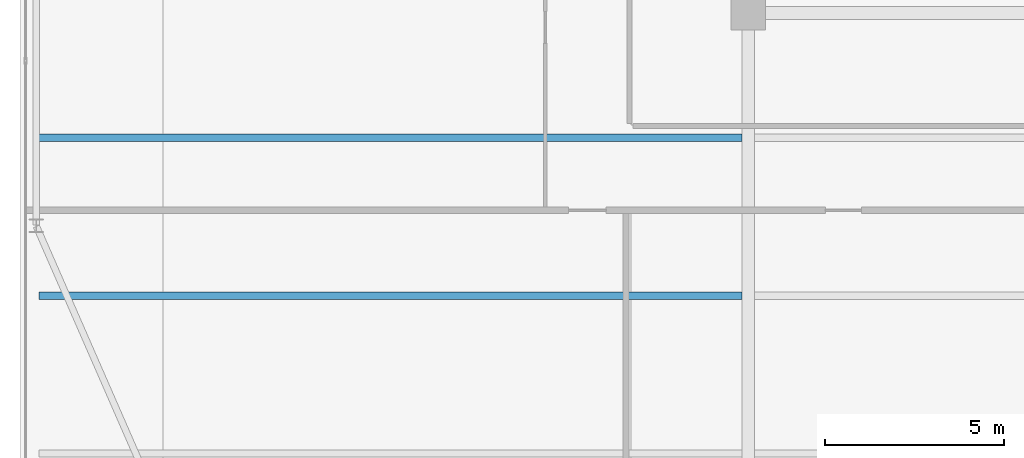
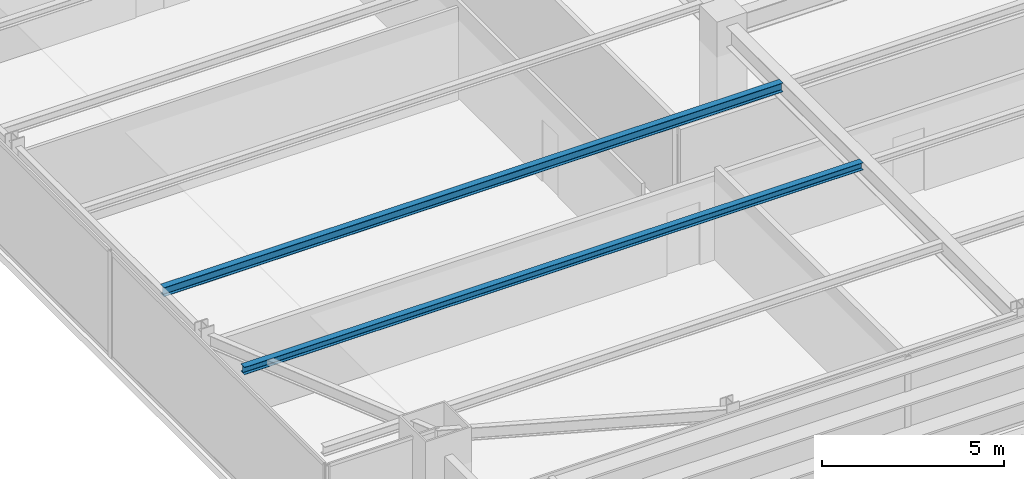
# One storey, part 7 of 33: 2 beams.
"""IFC4 building model written with IfcOpenShell, lengths in metres."""

from ifc_helpers import new_model, si_unit, direction, frame, origin, origin_2d, place, context, subcontext, project, spatial, i_section, extrude, source, transform, mapped, material, material_profile, profile_set, type_object, type_shapes, element, save


model = new_model("IFC4")

# Units and contexts
model_context = context("Model", 3, precision=1e-05, world=origin(), true_north=direction((0.0, 1.0)))
body_context = subcontext(model_context, "Body", "Model", "MODEL_VIEW")
ifc_project = project(units=[si_unit("LENGTHUNIT", "METRE"), si_unit("AREAUNIT", "SQUARE_METRE"), si_unit("VOLUMEUNIT", "CUBIC_METRE"), si_unit("PLANEANGLEUNIT", "RADIAN"), si_unit("MASSUNIT", "GRAM", prefix="KILO")], contexts=[model_context])

# Site, building, storey
site_placement = place(None, origin())
site = spatial("IfcSite", under=ifc_project, at=site_placement, CompositionType="ELEMENT")
building_placement = place(site_placement, origin())
building = spatial("IfcBuilding", under=site, at=building_placement, Name="Varnel Quay Broadcast Tower", CompositionType="ELEMENT")
storey_placement = place(building_placement, frame((0.0, 0.0, 129.60009765625)))
storey = spatial("IfcBuildingStorey", under=building, at=storey_placement, Name="L31", CompositionType="ELEMENT", Elevation=129.60009765625)

# Beams
ifc_material = material(Name="Structural Steel CSA G40.21 350W", Category="steel")
ifc_material_profile_1 = material_profile(ifc_material, i_section(OverallWidth=0.202880859375, OverallDepth=0.302978515625, WebThickness=0.007568359375, FlangeThickness=0.01318359375, FilletRadius=0.011962890625, at=origin_2d()), Name="W310X60")
ifc_profile_set_1 = profile_set([ifc_material_profile_1], Name="Structural Steel CSA G40.21 350W")
beam_type_1 = type_object("IfcBeamType", Name="Beam_W310X60", PredefinedType="JOIST", material=ifc_profile_set_1)
shared_shape_1 = source(origin(), body_context, "Body", "SweptSolid", [
    extrude(i_section(OverallWidth=0.202880859375, OverallDepth=0.302978515625, WebThickness=0.007568359375, FlangeThickness=0.01318359375, FilletRadius=0.011962890625, at=origin_2d()), origin(), (0.0, 0.0, 1.0), 19.592041015625),
])
type_shapes(beam_type_1, [shared_shape_1])
beam_1_placement = place(storey_placement, frame((5.035400390625, 17.449951171875, 3.3984375), z_axis=(1.0, 0.0, 0.0), x_axis=(0.0, 1.0, 0.0)))
element("IfcBeam", 1, at=beam_1_placement, inside=storey, type_object=beam_type_1, Name="L31 West Floor Joist 3", PredefinedType="JOIST", context=body_context, shape_type="MappedRepresentation", body=[
    mapped(shared_shape_1, transform((0.0, 0.0, 0.0), x_axis=(1.0, 0.0, 0.0), y_axis=(0.0, 1.0, 0.0), z_axis=(0.0, 0.0, 1.0), scale=1.0)),
])
ifc_material_profile_2 = material_profile(ifc_material, i_section(OverallWidth=0.201904296875, OverallDepth=0.2470703125, WebThickness=0.00732421875, FlangeThickness=0.010986328125, FilletRadius=0.010986328125, at=origin_2d()), Name="W250X49")
ifc_profile_set_2 = profile_set([ifc_material_profile_2], Name="Structural Steel CSA G40.21 350W")
beam_type_2 = type_object("IfcBeamType", Name="Beam_W250X49", PredefinedType="JOIST", material=ifc_profile_set_2)
shared_shape_2 = source(origin(), body_context, "Body", "SweptSolid", [
    extrude(i_section(OverallWidth=0.201904296875, OverallDepth=0.2470703125, WebThickness=0.00732421875, FlangeThickness=0.010986328125, FilletRadius=0.010986328125, at=origin_2d()), origin(), (0.0, 0.0, 1.0), 19.592041015625),
])
type_shapes(beam_type_2, [shared_shape_2])
beam_2_placement = place(storey_placement, frame((5.035400390625, 13.050048828125, 3.426513671875), z_axis=(1.0, 0.0, 0.0), x_axis=(0.0, 1.0, 0.0)))
element("IfcBeam", 2, at=beam_2_placement, inside=storey, type_object=beam_type_2, Name="L31 West Floor Joist 2", PredefinedType="JOIST", context=body_context, shape_type="MappedRepresentation", body=[
    mapped(shared_shape_2, transform((0.0, 0.0, 0.0), x_axis=(1.0, 0.0, 0.0), y_axis=(0.0, 1.0, 0.0), z_axis=(0.0, 0.0, 1.0), scale=1.0)),
])

save(model, "model.ifc")
